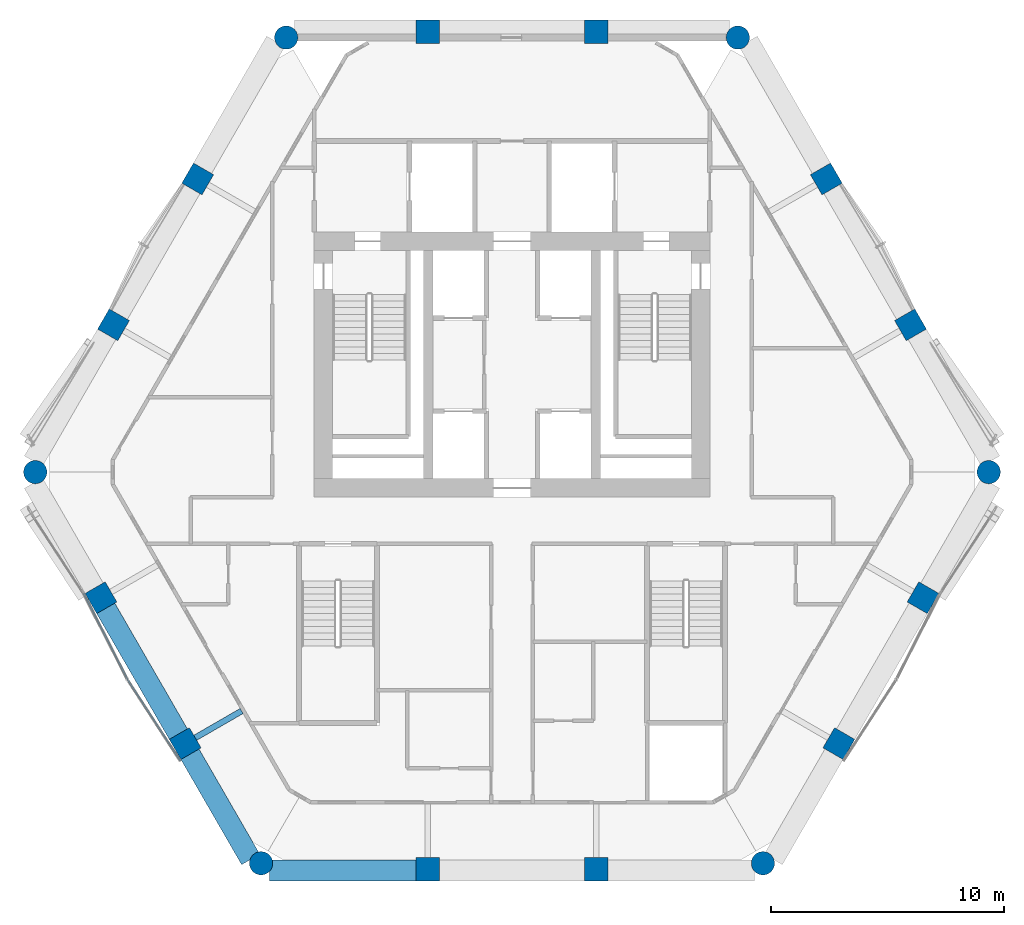
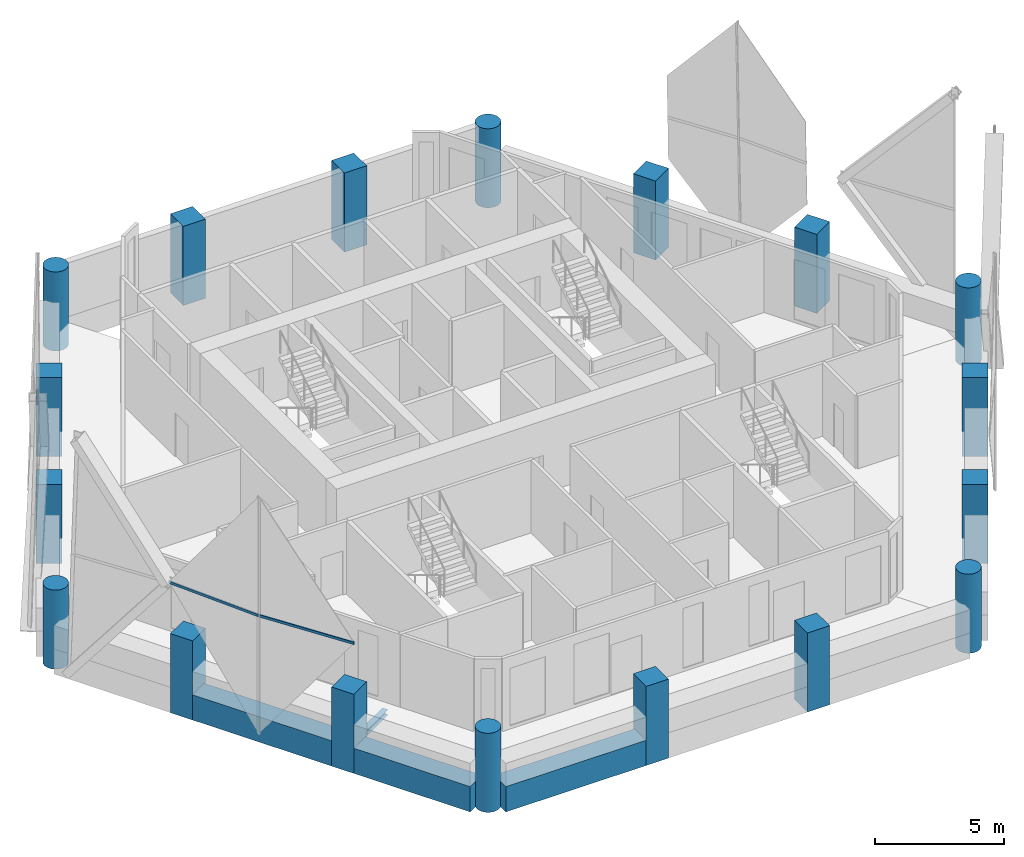
# One storey, part 1 of 13: 18 columns, 4 beams, 2 members, 1 element without a shape of its own.
"""IFC4 building model written with IfcOpenShell, lengths in metres."""

from ifc_helpers import new_model, si_unit, direction, frame, origin, origin_2d, place, context, subcontext, project, spatial, rectangle, hollow_rectangle, circle, i_section, extrude, material, material_profile, profile_set, type_object, element, aggregate, save


model = new_model("IFC4")

# Units and contexts
model_context = context("Model", 3, precision=1e-05, world=origin(), true_north=direction((0.0, 1.0)))
body_context = subcontext(model_context, "Body", "Model", "MODEL_VIEW")
ifc_project = project(units=[si_unit("LENGTHUNIT", "METRE"), si_unit("AREAUNIT", "SQUARE_METRE"), si_unit("VOLUMEUNIT", "CUBIC_METRE"), si_unit("PLANEANGLEUNIT", "RADIAN"), si_unit("MASSUNIT", "GRAM", prefix="KILO")], contexts=[model_context])

# Site, building, storey
site_placement = place(None, origin())
site = spatial("IfcSite", under=ifc_project, at=site_placement, CompositionType="ELEMENT")
building_placement = place(site_placement, origin())
building = spatial("IfcBuilding", under=site, at=building_placement, Name="Ostrander Bayou Hotel Tower", CompositionType="ELEMENT")
storey_placement = place(building_placement, frame((0.0, 0.0, 187.0)))
storey = spatial("IfcBuildingStorey", under=building, at=storey_placement, Name="L46", CompositionType="ELEMENT", Elevation=187.0)

# Columns
ifc_material_1 = material(Name="Concrete f'c 60 MPa", Category="concrete")
ifc_material_profile_1 = material_profile(ifc_material_1, circle(Radius=0.5, at=origin_2d()))
ifc_profile_set_1 = profile_set([ifc_material_profile_1], Name="Concrete f'c 60 MPa")
column_type_1 = type_object("IfcColumnType", Name="C5 round column 1000 mm f'c 60 MPa", PredefinedType="COLUMN", material=ifc_profile_set_1)
for number, where, z_axis, x_axis, name in (
    (1, (-9.700439453125, 18.04541015625, -1.199951171875), (0.0, 0.0, 1.0), (1.0, 0.0, 0.0), "C5 L46 K0"),
    (2, (-20.47802734375, -0.621826171875, -1.199951171875), (0.0, 0.0, 1.0), (1.0, 0.0, 0.0), "C5 L46 K1"),
    (3, (-10.777587890625, -17.423583984375, -1.199951171875), (0.0, 0.0, 1.0), (1.0, 0.0, 0.0), "C5 L46 K2"),
    (4, (10.777587890625, -17.423583984375, -1.199951171875), (0.0, 0.0, 1.0), (1.0, 0.0, 0.0), "C5 L46 K3"),
    (5, (20.47802734375, -0.621826171875, -1.199951171875), (0.0, 0.0, 1.0), (1.0, 0.0, 0.0), "C5 L46 K4"),
    (6, (9.700439453125, 18.04541015625, -1.199951171875), (0.0, 0.0, 1.0), (1.0, 0.0, 0.0), "C5 L46 K5"),
):
    element("IfcColumn", number, at=place(storey_placement, frame(where, z_axis=z_axis, x_axis=x_axis)), inside=storey, type_object=column_type_1, Name=name, PredefinedType="COLUMN", context=body_context, shape_type="SweptSolid", body=[
        extrude(circle(Radius=0.5, at=origin_2d()), origin(), (0.0, 0.0, 1.0), 3.75),
    ])
ifc_material_2 = material(Name="Concrete f'c 60 MPa", Category="concrete")
ifc_material_profile_2 = material_profile(ifc_material_2, rectangle(XDim=1.0, YDim=1.0, at=origin_2d()))
ifc_profile_set_2 = profile_set([ifc_material_profile_2], Name="Concrete f'c 60 MPa")
column_type_2 = type_object("IfcColumnType", Name="C6 square column 1000 x 1000 mm f'c 60 MPa", PredefinedType="COLUMN", material=ifc_profile_set_2)
for number, where, z_axis, x_axis, name in (
    (7, (3.6181640625, 18.300048828125, -1.199951171875), (0.0, 0.0, 1.0), (1.0, 0.0, 0.0), "C6 L46 N1"),
    (8, (-3.6181640625, 18.300048828125, -1.199951171875), (0.0, 0.0, 1.0), (1.0, 0.0, 0.0), "C6 L46 N2"),
    (9, (-13.500732421875, 11.972412109375, -1.199951171875), (0.0, 0.0, 1.0), (0.5, 0.866025403784, 0.0), "C6 L46 NW1"),
    (10, (-17.11865234375, 5.705810546875, -1.199951171875), (0.0, 0.0, 1.0), (0.5, 0.866025403784, 0.0), "C6 L46 NW2"),
    (11, (-17.6572265625, -6.0166015625, -1.199951171875), (0.0, 0.0, 1.0), (-0.5, 0.866025403784, 0.0), "C6 L46 SW1"),
    (12, (-14.039306640625, -12.283203125, -1.199951171875), (0.0, 0.0, 1.0), (-0.5, 0.866025403784, 0.0), "C6 L46 SW2"),
    (13, (-3.6181640625, -17.677978515625, -1.199951171875), (0.0, 0.0, 1.0), (-1.0, 0.0, 0.0), "C6 L46 S1"),
    (14, (3.6181640625, -17.677978515625, -1.199951171875), (0.0, 0.0, 1.0), (-1.0, 0.0, 0.0), "C6 L46 S2"),
    (15, (14.039306640625, -12.283203125, -1.199951171875), (0.0, 0.0, 1.0), (-0.5, -0.866025403784, 0.0), "C6 L46 SE1"),
    (16, (17.6572265625, -6.0166015625, -1.199951171875), (0.0, 0.0, 1.0), (-0.5, -0.866025403784, 0.0), "C6 L46 SE2"),
    (17, (17.11865234375, 5.705810546875, -1.199951171875), (0.0, 0.0, 1.0), (0.5, -0.866025403784, 0.0), "C6 L46 NE1"),
    (18, (13.500732421875, 11.972412109375, -1.199951171875), (0.0, 0.0, 1.0), (0.5, -0.866025403784, 0.0), "C6 L46 NE2"),
):
    element("IfcColumn", number, at=place(storey_placement, frame(where, z_axis=z_axis, x_axis=x_axis)), inside=storey, type_object=column_type_2, Name=name, PredefinedType="COLUMN", context=body_context, shape_type="SweptSolid", body=[
        extrude(rectangle(XDim=1.0, YDim=1.0, at=origin_2d()), origin(), (0.0, 0.0, 1.0), 3.75),
    ])

# Curtain wall, members
ifc_material_3 = material(Name="Aluminium and clear glass", Category="aluminium")
curtain_wall_type = type_object("IfcCurtainWallType", Name="CW-LAT lattice glazing", PredefinedType="NOTDEFINED", material=ifc_material_3)
curtain_wall_placement = place(storey_placement, origin())
curtain_wall = element("IfcCurtainWall", 19, at=curtain_wall_placement, inside=storey, type_object=curtain_wall_type, Name="CW-LAT L46 SW 2", PredefinedType="NOTDEFINED")
ifc_material_4 = material(Name="Aluminium", Category="aluminium")
ifc_material_profile_3 = material_profile(ifc_material_4, hollow_rectangle(XDim=0.06005859375, YDim=0.1201171875, WallThickness=0.00390625, at=origin_2d()))
ifc_profile_set_3 = profile_set([ifc_material_profile_3], Name="Aluminium")
member_type = type_object("IfcMemberType", Name="CW-LA transom 60 x 120 mm", PredefinedType="USERDEFINED", material=ifc_profile_set_3)
member_1_placement = place(storey_placement, frame((-16.51513671875, -9.534912109375, 5.02490234375), z_axis=(-0.452953540429, 0.891534121732, 0.0), x_axis=(-0.891534121732, -0.452953540429, 0.0)))
member_1 = element("IfcMember", 20, at=member_1_placement, type_object=member_type, Name="CW-LAT transom 6", ObjectType="TRANSOM", PredefinedType="USERDEFINED", context=body_context, shape_type="SweptSolid", body=[
    extrude(hollow_rectangle(XDim=0.06005859375, YDim=0.1201171875, WallThickness=0.00390625, at=origin_2d()), origin(), (0.0, 0.0, 1.0), 4.16162109375),
])
member_2_placement = place(storey_placement, frame((-16.51513671875, -9.534912109375, 5.02490234375), z_axis=(0.545610899145, -0.838038630812, 0.0), x_axis=(0.838038630812, 0.545610899145, 0.0)))
member_2 = element("IfcMember", 21, at=member_2_placement, type_object=member_type, Name="CW-LAT transom 7", ObjectType="TRANSOM", PredefinedType="USERDEFINED", context=body_context, shape_type="SweptSolid", body=[
    extrude(hollow_rectangle(XDim=0.06005859375, YDim=0.1201171875, WallThickness=0.00390625, at=origin_2d()), origin(), (0.0, 0.0, 1.0), 4.161865234375),
])
aggregate(curtain_wall, [member_1, member_2])

# Beams
ifc_material_5 = material(Name="Steel ASTM A992", Category="steel")
ifc_material_profile_4 = material_profile(ifc_material_5, i_section(OverallWidth=0.25390625, OverallDepth=0.25341796875, WebThickness=0.008544921875, FlangeThickness=0.01416015625, at=origin_2d()))
ifc_profile_set_4 = profile_set([ifc_material_profile_4], Name="Steel ASTM A992")
beam_type_1 = type_object("IfcBeamType", Name="LB2 loggia bracket W10x49", PredefinedType="BEAM", material=ifc_profile_set_4)
beam_1_placement = place(storey_placement, frame((-13.606201171875, -12.033203125, -0.4267578125), z_axis=(0.86602648383, 0.499998129301, 0.0), x_axis=(-0.499998129301, 0.86602648383, 0.0)))
element("IfcBeam", 22, at=beam_1_placement, inside=storey, type_object=beam_type_1, Name="LB2 L46 SW2", PredefinedType="BEAM", context=body_context, shape_type="SweptSolid", body=[
    extrude(i_section(OverallWidth=0.25390625, OverallDepth=0.25341796875, WebThickness=0.008544921875, FlangeThickness=0.01416015625, at=origin_2d()), origin(), (0.0, 0.0, 1.0), 2.2998046875),
])
ifc_material_6 = material(Name="Concrete f'c 60 MPa", Category="concrete")
ifc_material_profile_5 = material_profile(ifc_material_6, rectangle(XDim=0.89990234375, YDim=1.199951171875, at=origin_2d()))
ifc_profile_set_5 = profile_set([ifc_material_profile_5], Name="Concrete f'c 60 MPa")
beam_type_2 = type_object("IfcBeamType", Name="SP3 spandrel beam 900 x 1200 mm f'c 60 MPa", PredefinedType="SPANDREL", material=ifc_profile_set_5)
beam_2_placement = place(storey_placement, frame((-17.465576171875, -6.44873046875, -0.60009765625), z_axis=(0.500013351051, -0.866017695414, 0.0), x_axis=(0.866017695414, 0.500013351051, 0.0)))
element("IfcBeam", 23, at=beam_2_placement, inside=storey, type_object=beam_type_2, Name="SP3 L46 SW-2", PredefinedType="SPANDREL", context=body_context, shape_type="SweptSolid", body=[
    extrude(rectangle(XDim=0.89990234375, YDim=1.199951171875, at=origin_2d()), origin(), (0.0, 0.0, 1.0), 6.296142578125),
])
beam_3_placement = place(storey_placement, frame((-13.847412109375, -12.71533203125, -0.60009765625), z_axis=(0.499988348136, -0.866032130887, 0.0), x_axis=(0.866032130887, 0.499988348136, 0.0)))
element("IfcBeam", 24, at=beam_3_placement, inside=storey, type_object=beam_type_2, Name="SP3 L46 SW-3", PredefinedType="SPANDREL", context=body_context, shape_type="SweptSolid", body=[
    extrude(rectangle(XDim=0.89990234375, YDim=1.199951171875, at=origin_2d()), origin(), (0.0, 0.0, 1.0), 5.245849609375),
])
beam_4_placement = place(storey_placement, frame((-10.410888671875, -17.72802734375, -0.60009765625), z_axis=(1.0, 0.0, 0.0), x_axis=(0.0, 1.0, 0.0)))
element("IfcBeam", 25, at=beam_4_placement, inside=storey, type_object=beam_type_2, Name="SP3 L46 S-1", PredefinedType="SPANDREL", context=body_context, shape_type="SweptSolid", body=[
    extrude(rectangle(XDim=0.89990234375, YDim=1.199951171875, at=origin_2d()), origin(), (0.0, 0.0, 1.0), 6.32275390625),
])

save(model, "model.ifc")
